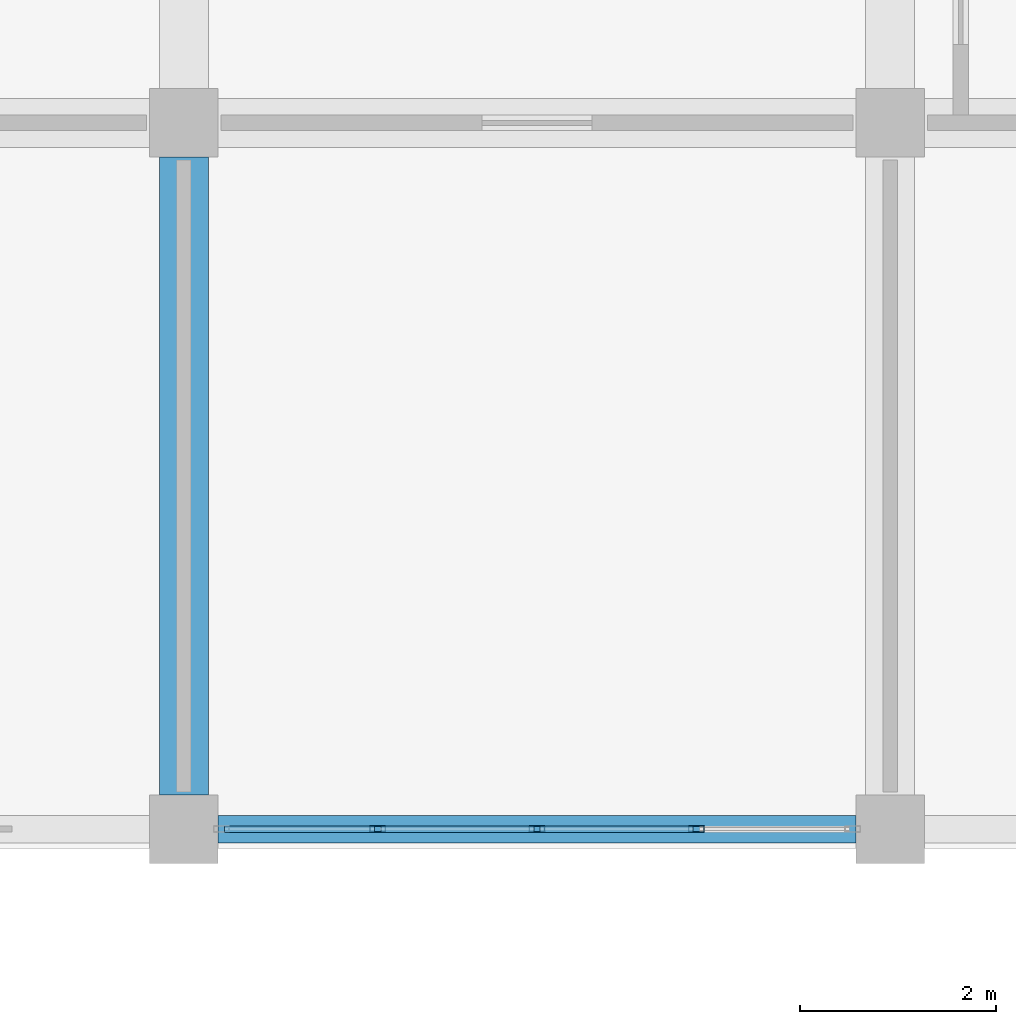
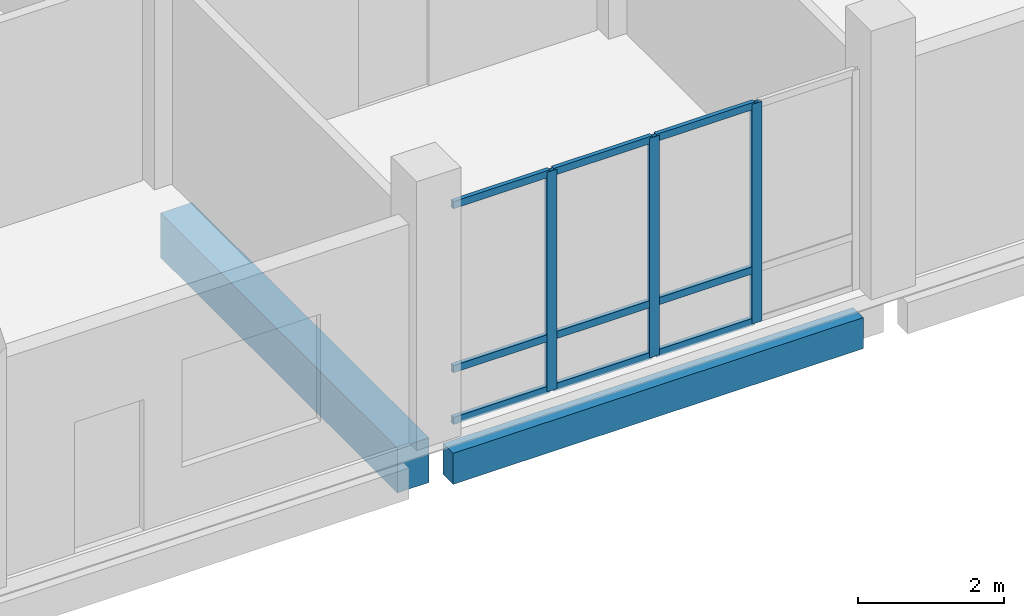
# One storey, part 68 of 139: 12 members, 2 beams, 1 element without a shape of its own.
"""IFC4 building model written with IfcOpenShell, lengths in metres."""

from ifc_helpers import new_model, si_unit, direction, frame, origin, origin_2d, place, context, subcontext, project, spatial, rectangle, hollow_rectangle, extrude, material, material_profile, profile_set, type_object, element, aggregate, save


model = new_model("IFC4")

# Units and contexts
model_context = context("Model", 3, precision=1e-05, world=origin(), true_north=direction((0.0, 1.0)))
body_context = subcontext(model_context, "Body", "Model", "MODEL_VIEW")
ifc_project = project(units=[si_unit("LENGTHUNIT", "METRE"), si_unit("AREAUNIT", "SQUARE_METRE"), si_unit("VOLUMEUNIT", "CUBIC_METRE"), si_unit("PLANEANGLEUNIT", "RADIAN"), si_unit("MASSUNIT", "GRAM", prefix="KILO")], contexts=[model_context])

# Site, building, storey
site_placement = place(None, origin())
site = spatial("IfcSite", under=ifc_project, at=site_placement, CompositionType="ELEMENT")
building_placement = place(site_placement, origin())
building = spatial("IfcBuilding", under=site, at=building_placement, Name="Suanplinth Sawtooth Commons", CompositionType="ELEMENT")
storey_placement = place(building_placement, origin())
storey = spatial("IfcBuildingStorey", under=building, at=storey_placement, Name="L00", CompositionType="ELEMENT", Elevation=0.0)

# Beams
ifc_material_1 = material(Name="Concrete C40/50", Category="concrete")
ifc_material_profile_1 = material_profile(ifc_material_1, rectangle(XDim=0.5, YDim=0.75, at=origin_2d()), Name="RC-GDR 500x750")
ifc_profile_set_1 = profile_set([ifc_material_profile_1], Name="Concrete C40/50")
beam_type_1 = type_object("IfcBeamType", Name="B-03", PredefinedType="USERDEFINED", material=ifc_profile_set_1)
beam_1_placement = place(storey_placement, frame((136.800048828125, 0.35009765625, -0.794921875), z_axis=(0.0, 1.0, 0.0), x_axis=(-1.0, 0.0, 0.0)))
element("IfcBeam", 1, at=beam_1_placement, inside=storey, type_object=beam_type_1, Name="BMY-L00-C-19-0", ObjectType="GIRDER", PredefinedType="USERDEFINED", context=body_context, shape_type="SweptSolid", body=[
    extrude(rectangle(XDim=0.5, YDim=0.75, at=origin_2d()), origin(), (0.0, 0.0, 1.0), 6.5),
])
ifc_material_2 = material(Name="Precast concrete C40/50", Category="concrete")
ifc_material_profile_2 = material_profile(ifc_material_2, rectangle(XDim=0.280029296875, YDim=0.52001953125, at=origin_2d()), Name="PC-SP 280x520")
ifc_profile_set_2 = profile_set([ifc_material_profile_2], Name="Precast concrete C40/50")
beam_type_2 = type_object("IfcBeamType", Name="B-08", PredefinedType="SPANDREL", material=ifc_profile_set_2)
beam_2_placement = place(storey_placement, frame((137.14990234375, 0.0, -0.679931640625), z_axis=(1.0, 0.0, 0.0), x_axis=(0.0, 1.0, 0.0)))
element("IfcBeam", 2, at=beam_2_placement, inside=storey, type_object=beam_type_2, Name="BMX-L00-C-19-0", PredefinedType="SPANDREL", context=body_context, shape_type="SweptSolid", body=[
    extrude(rectangle(XDim=0.280029296875, YDim=0.52001953125, at=origin_2d()), origin(), (0.0, 0.0, 1.0), 6.5),
])

# Curtain wall, members
ifc_material_3 = material(Name="Anodized aluminium and low-E glazing", Category="aluminium")
curtain_wall_type = type_object("IfcCurtainWallType", Name="CW-04", PredefinedType="USERDEFINED", material=ifc_material_3)
curtain_wall_placement = place(storey_placement, origin())
curtain_wall = element("IfcCurtainWall", 3, at=curtain_wall_placement, inside=storey, type_object=curtain_wall_type, Name="Curtain Wall CW-L00-C-S-19", ObjectType="CURTAIN WALL", PredefinedType="USERDEFINED")
ifc_material_4 = material(Name="Anodized aluminium 6063-T6", Category="aluminium")
ifc_material_profile_3 = material_profile(ifc_material_4, hollow_rectangle(XDim=0.06494140625, YDim=0.159912109375, WallThickness=0.00390625, at=origin_2d()), Name="ALU-MUL 65x160")
ifc_profile_set_3 = profile_set([ifc_material_profile_3], Name="Anodized aluminium 6063-T6")
member_type_1 = type_object("IfcMemberType", Name="M-13", PredefinedType="MULLION", material=ifc_profile_set_3)
member_1_placement = place(storey_placement, frame((138.77490234375, 0.0, 0.0), z_axis=(0.0, 0.0, 1.0), x_axis=(0.0, 1.0, 0.0)))
member_1 = element("IfcMember", 4, at=member_1_placement, type_object=member_type_1, Name="CW-04 mullion 2", PredefinedType="MULLION", context=body_context, shape_type="SweptSolid", body=[
    extrude(hollow_rectangle(XDim=0.06494140625, YDim=0.159912109375, WallThickness=0.00390625, at=origin_2d()), origin(), (0.0, 0.0, 1.0), 3.679931640625),
])
member_2_placement = place(storey_placement, frame((140.39990234375, 0.0, 0.0), z_axis=(0.0, 0.0, 1.0), x_axis=(0.0, 1.0, 0.0)))
member_2 = element("IfcMember", 5, at=member_2_placement, type_object=member_type_1, Name="CW-04 mullion 3", PredefinedType="MULLION", context=body_context, shape_type="SweptSolid", body=[
    extrude(hollow_rectangle(XDim=0.06494140625, YDim=0.159912109375, WallThickness=0.00390625, at=origin_2d()), origin(), (0.0, 0.0, 1.0), 3.679931640625),
])
member_3_placement = place(storey_placement, frame((142.02490234375, 0.0, 0.0), z_axis=(0.0, 0.0, 1.0), x_axis=(0.0, 1.0, 0.0)))
member_3 = element("IfcMember", 6, at=member_3_placement, type_object=member_type_1, Name="CW-04 mullion 4", PredefinedType="MULLION", context=body_context, shape_type="SweptSolid", body=[
    extrude(hollow_rectangle(XDim=0.06494140625, YDim=0.159912109375, WallThickness=0.00390625, at=origin_2d()), origin(), (0.0, 0.0, 1.0), 3.679931640625),
])
ifc_material_profile_4 = material_profile(ifc_material_4, hollow_rectangle(XDim=0.06494140625, YDim=0.1201171875, WallThickness=0.00390625, at=origin_2d()), Name="ALU-TRN 65x120")
ifc_profile_set_4 = profile_set([ifc_material_profile_4], Name="Anodized aluminium 6063-T6")
member_type_2 = type_object("IfcMemberType", Name="M-15", PredefinedType="USERDEFINED", material=ifc_profile_set_4)
member_4_placement = place(storey_placement, frame((137.215087890625, 0.0, 0.032470703125), z_axis=(1.0, 0.0, 0.0), x_axis=(0.0, 1.0, 0.0)))
member_4 = element("IfcMember", 7, at=member_4_placement, type_object=member_type_2, Name="CW-04 transom 1.1", ObjectType="TRANSOM", PredefinedType="USERDEFINED", context=body_context, shape_type="SweptSolid", body=[
    extrude(hollow_rectangle(XDim=0.06494140625, YDim=0.1201171875, WallThickness=0.00390625, at=origin_2d()), origin(), (0.0, 0.0, 1.0), 1.52734375),
])
member_5_placement = place(storey_placement, frame((137.215087890625, 0.0, 0.89990234375), z_axis=(1.0, 0.0, 0.0), x_axis=(0.0, 1.0, 0.0)))
member_5 = element("IfcMember", 8, at=member_5_placement, type_object=member_type_2, Name="CW-04 transom 1.2", ObjectType="TRANSOM", PredefinedType="USERDEFINED", context=body_context, shape_type="SweptSolid", body=[
    extrude(hollow_rectangle(XDim=0.06494140625, YDim=0.1201171875, WallThickness=0.00390625, at=origin_2d()), origin(), (0.0, 0.0, 1.0), 1.52734375),
])
member_6_placement = place(storey_placement, frame((137.215087890625, 0.0, 3.6474609375), z_axis=(1.0, 0.0, 0.0), x_axis=(0.0, 1.0, 0.0)))
member_6 = element("IfcMember", 9, at=member_6_placement, type_object=member_type_2, Name="CW-04 transom 1.3", ObjectType="TRANSOM", PredefinedType="USERDEFINED", context=body_context, shape_type="SweptSolid", body=[
    extrude(hollow_rectangle(XDim=0.06494140625, YDim=0.1201171875, WallThickness=0.00390625, at=origin_2d()), origin(), (0.0, 0.0, 1.0), 1.52734375),
])
member_7_placement = place(storey_placement, frame((138.8076171875, 0.0, 0.032470703125), z_axis=(1.0, 0.0, 0.0), x_axis=(0.0, 1.0, 0.0)))
member_7 = element("IfcMember", 10, at=member_7_placement, type_object=member_type_2, Name="CW-04 transom 2.1", ObjectType="TRANSOM", PredefinedType="USERDEFINED", context=body_context, shape_type="SweptSolid", body=[
    extrude(hollow_rectangle(XDim=0.06494140625, YDim=0.1201171875, WallThickness=0.00390625, at=origin_2d()), origin(), (0.0, 0.0, 1.0), 1.559814453125),
])
member_8_placement = place(storey_placement, frame((138.8076171875, 0.0, 0.89990234375), z_axis=(1.0, 0.0, 0.0), x_axis=(0.0, 1.0, 0.0)))
member_8 = element("IfcMember", 11, at=member_8_placement, type_object=member_type_2, Name="CW-04 transom 2.2", ObjectType="TRANSOM", PredefinedType="USERDEFINED", context=body_context, shape_type="SweptSolid", body=[
    extrude(hollow_rectangle(XDim=0.06494140625, YDim=0.1201171875, WallThickness=0.00390625, at=origin_2d()), origin(), (0.0, 0.0, 1.0), 1.559814453125),
])
member_9_placement = place(storey_placement, frame((138.8076171875, 0.0, 3.6474609375), z_axis=(1.0, 0.0, 0.0), x_axis=(0.0, 1.0, 0.0)))
member_9 = element("IfcMember", 12, at=member_9_placement, type_object=member_type_2, Name="CW-04 transom 2.3", ObjectType="TRANSOM", PredefinedType="USERDEFINED", context=body_context, shape_type="SweptSolid", body=[
    extrude(hollow_rectangle(XDim=0.06494140625, YDim=0.1201171875, WallThickness=0.00390625, at=origin_2d()), origin(), (0.0, 0.0, 1.0), 1.559814453125),
])
member_10_placement = place(storey_placement, frame((140.4326171875, 0.0, 0.032470703125), z_axis=(1.0, 0.0, 0.0), x_axis=(0.0, 1.0, 0.0)))
member_10 = element("IfcMember", 13, at=member_10_placement, type_object=member_type_2, Name="CW-04 transom 3.1", ObjectType="TRANSOM", PredefinedType="USERDEFINED", context=body_context, shape_type="SweptSolid", body=[
    extrude(hollow_rectangle(XDim=0.06494140625, YDim=0.1201171875, WallThickness=0.00390625, at=origin_2d()), origin(), (0.0, 0.0, 1.0), 1.559814453125),
])
member_11_placement = place(storey_placement, frame((140.4326171875, 0.0, 0.89990234375), z_axis=(1.0, 0.0, 0.0), x_axis=(0.0, 1.0, 0.0)))
member_11 = element("IfcMember", 14, at=member_11_placement, type_object=member_type_2, Name="CW-04 transom 3.2", ObjectType="TRANSOM", PredefinedType="USERDEFINED", context=body_context, shape_type="SweptSolid", body=[
    extrude(hollow_rectangle(XDim=0.06494140625, YDim=0.1201171875, WallThickness=0.00390625, at=origin_2d()), origin(), (0.0, 0.0, 1.0), 1.559814453125),
])
member_12_placement = place(storey_placement, frame((140.4326171875, 0.0, 3.6474609375), z_axis=(1.0, 0.0, 0.0), x_axis=(0.0, 1.0, 0.0)))
member_12 = element("IfcMember", 15, at=member_12_placement, type_object=member_type_2, Name="CW-04 transom 3.3", ObjectType="TRANSOM", PredefinedType="USERDEFINED", context=body_context, shape_type="SweptSolid", body=[
    extrude(hollow_rectangle(XDim=0.06494140625, YDim=0.1201171875, WallThickness=0.00390625, at=origin_2d()), origin(), (0.0, 0.0, 1.0), 1.559814453125),
])
aggregate(curtain_wall, [member_1, member_2, member_3, member_4, member_5, member_6, member_7, member_8, member_9, member_10, member_11, member_12])

save(model, "model.ifc")
